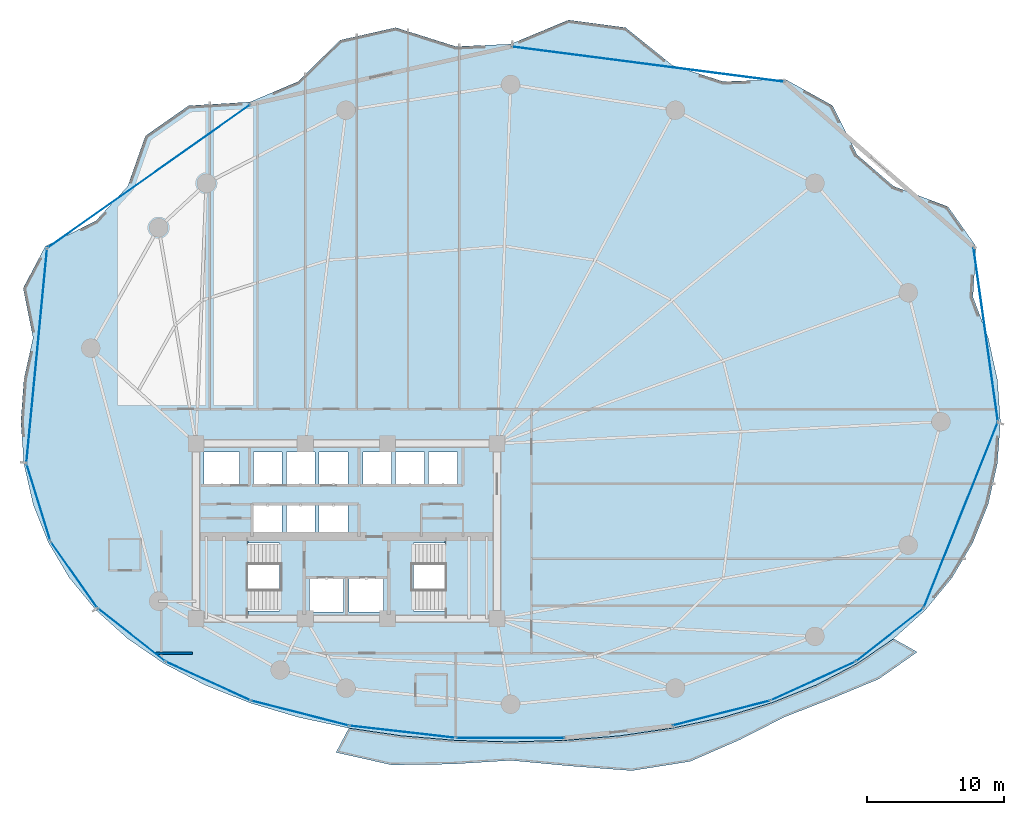
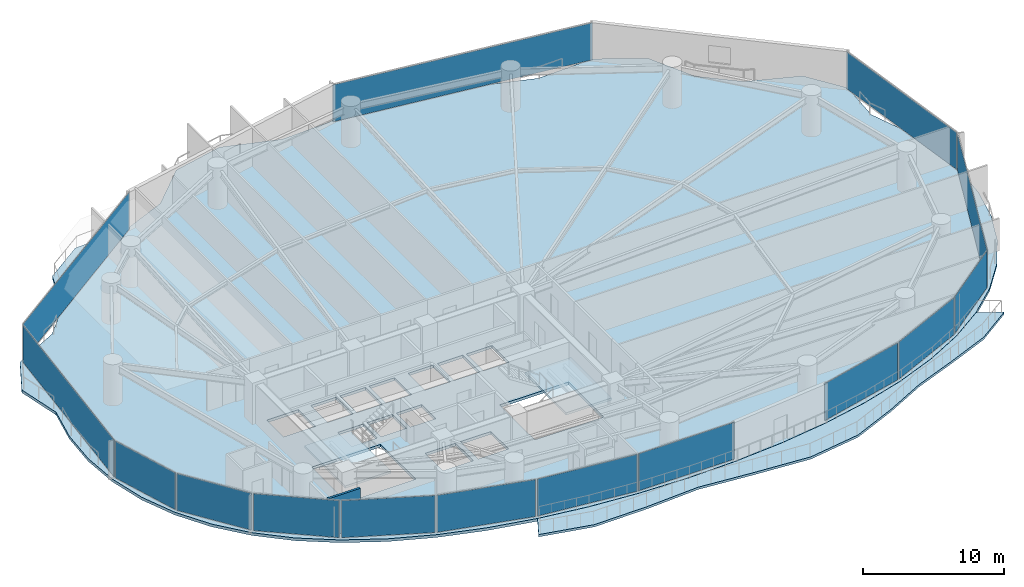
# One storey, part 24 of 31: 15 plates, 4 slabs, 1 wall, 17 elements without a shape of their own.
"""IFC4 building model written with IfcOpenShell, lengths in metres."""

from ifc_helpers import new_model, si_unit, direction, frame, frame_2d, origin, origin_2d, place, context, subcontext, project, spatial, polyline, rectangle, outline, extrude, material, layer, layer_set, type_object, element, aggregate, save


model = new_model("IFC4")

# Units and contexts
model_context = context("Model", 3, precision=1e-05, world=origin(), true_north=direction((0.0, 1.0)))
body_context = subcontext(model_context, "Body", "Model", "MODEL_VIEW")
ifc_project = project(units=[si_unit("LENGTHUNIT", "METRE"), si_unit("AREAUNIT", "SQUARE_METRE"), si_unit("VOLUMEUNIT", "CUBIC_METRE"), si_unit("PLANEANGLEUNIT", "RADIAN"), si_unit("MASSUNIT", "GRAM", prefix="KILO")], contexts=[model_context])

# Site, building, storey
site_placement = place(None, origin())
site = spatial("IfcSite", under=ifc_project, at=site_placement, CompositionType="ELEMENT")
building_placement = place(site_placement, origin())
building = spatial("IfcBuilding", under=site, at=building_placement, Name="Kazevale Care Tower and Concert Hall", CompositionType="ELEMENT")
storey_placement = place(building_placement, frame((0.0, 0.0, 63.60009765625)))
storey = spatial("IfcBuildingStorey", under=building, at=storey_placement, Name="L16", CompositionType="ELEMENT", Elevation=63.60009765625)

# Curtain wall, plate
ifc_material_1 = material(Name="Aluminium 6063-T6 and Low-E Glass", Category="aluminium")
ifc_layer_1 = layer(ifc_material_1, 0.179931640625)
ifc_layer_set_1 = layer_set([ifc_layer_1], Name="Aluminium 6063-T6 and Low-E Glass")
curtain_wall_type_1 = type_object("IfcCurtainWallType", Name="Convex Recessed Sunroom Curtain Wall CW-3", PredefinedType="NOTDEFINED", material=ifc_layer_set_1)
curtain_wall_1_placement = place(storey_placement, origin())
curtain_wall_1 = element("IfcCurtainWall", 1, at=curtain_wall_1_placement, inside=storey, type_object=curtain_wall_type_1, Name="cw:L16:f14", PredefinedType="NOTDEFINED")
ifc_material_2 = material(Name="Low-E Laminated Glass", Category="glass")
ifc_layer_2 = layer(ifc_material_2, 0.028076171875)
ifc_layer_set_2 = layer_set([ifc_layer_2], Name="Low-E Laminated Glass")
plate_type_1 = type_object("IfcPlateType", Name="CW-3 Low-E Glazing Panel 28mm", PredefinedType="CURTAIN_PANEL", material=ifc_layer_set_2)
plate_1_placement = place(storey_placement, frame((18.55810546875, 55.93896484375, 0.074951171875), z_axis=(0.0, 0.0, 1.0), x_axis=(0.816794332821, 0.57692895392, 0.0)))
plate_1 = element("IfcPlate", 2, at=plate_1_placement, type_object=plate_type_1, Name="CW-3 panel 1.1", PredefinedType="CURTAIN_PANEL", context=body_context, shape_type="SweptSolid", body=[
    extrude(rectangle(XDim=18.060302734375, YDim=0.028076171875, at=origin_2d()), origin(), (0.0, 0.0, 1.0), 3.2099609375),
])
aggregate(curtain_wall_1, [plate_1])

curtain_wall_2_placement = place(storey_placement, origin())
curtain_wall_2 = element("IfcCurtainWall", 3, at=curtain_wall_2_placement, inside=storey, type_object=curtain_wall_type_1, Name="cw:L16:f16", PredefinedType="NOTDEFINED")
plate_2_placement = place(storey_placement, frame((55.0400390625, 64.130615234375, 0.074951171875), z_axis=(0.0, 0.0, 1.0), x_axis=(0.991763039368, -0.128086196538, 0.0)))
plate_2 = element("IfcPlate", 4, at=plate_2_placement, type_object=plate_type_1, Name="CW-3 panel 1.1", PredefinedType="CURTAIN_PANEL", context=body_context, shape_type="SweptSolid", body=[
    extrude(rectangle(XDim=20.01611328125, YDim=0.028076171875, at=origin_2d()), origin(), (0.0, 0.0, 1.0), 3.2099609375),
])
aggregate(curtain_wall_2, [plate_2])

ifc_layer_3 = layer(ifc_material_1, 0.179931640625)
ifc_layer_set_3 = layer_set([ifc_layer_3], Name="Aluminium 6063-T6 and Low-E Glass")
curtain_wall_type_2 = type_object("IfcCurtainWallType", Name="Waist & Upper Residential Curtain Wall CW-4", PredefinedType="NOTDEFINED", material=ifc_layer_set_3)
curtain_wall_3_placement = place(storey_placement, origin())
curtain_wall_3 = element("IfcCurtainWall", 5, at=curtain_wall_3_placement, inside=storey, type_object=curtain_wall_type_2, Name="cw:L16:f01", PredefinedType="NOTDEFINED")
ifc_layer_4 = layer(ifc_material_2, 0.030029296875)
ifc_layer_set_4 = layer_set([ifc_layer_4], Name="Low-E Laminated Glass")
plate_type_2 = type_object("IfcPlateType", Name="CW-4 Low-E Glazing Panel 30mm", PredefinedType="CURTAIN_PANEL", material=ifc_layer_set_4)
plate_3_placement = place(storey_placement, frame((77.90087890625, 31.181884765625, 0.080078125), z_axis=(0.0, 0.0, 1.0), x_axis=(-0.370427424456, -0.928861412274, 0.0)))
plate_3 = element("IfcPlate", 6, at=plate_3_placement, type_object=plate_type_2, Name="CW-4 panel 1.1", PredefinedType="CURTAIN_PANEL", context=body_context, shape_type="SweptSolid", body=[
    extrude(rectangle(XDim=14.520263671875, YDim=0.030029296875, at=origin_2d()), origin(), (0.0, 0.0, 1.0), 3.199951171875),
])
aggregate(curtain_wall_3, [plate_3])

curtain_wall_4_placement = place(storey_placement, origin())
curtain_wall_4 = element("IfcCurtainWall", 7, at=curtain_wall_4_placement, inside=storey, type_object=curtain_wall_type_2, Name="cw:L16:f11", PredefinedType="NOTDEFINED")
plate_4_placement = place(storey_placement, frame((13.094482421875, 26.81103515625, 0.080078125), z_axis=(0.0, 0.0, 1.0), x_axis=(-0.575836813322, 0.817564654583, 0.0)))
plate_4 = element("IfcPlate", 8, at=plate_4_placement, type_object=plate_type_2, Name="CW-4 panel 1.1", PredefinedType="CURTAIN_PANEL", context=body_context, shape_type="SweptSolid", body=[
    extrude(rectangle(XDim=5.826171875, YDim=0.030029296875, at=origin_2d()), origin(), (0.0, 0.0, 1.0), 3.199951171875),
])
aggregate(curtain_wall_4, [plate_4])

curtain_wall_5_placement = place(storey_placement, origin())
curtain_wall_5 = element("IfcCurtainWall", 9, at=curtain_wall_5_placement, inside=storey, type_object=curtain_wall_type_2, Name="cw:L16:f12", PredefinedType="NOTDEFINED")
plate_5_placement = place(storey_placement, frame((10.487548828125, 32.10791015625, 0.080078125), z_axis=(0.0, 0.0, 1.0), x_axis=(-0.296098771112, 0.955157326175, 0.0)))
plate_5 = element("IfcPlate", 10, at=plate_5_placement, type_object=plate_type_2, Name="CW-4 panel 1.1", PredefinedType="CURTAIN_PANEL", context=body_context, shape_type="SweptSolid", body=[
    extrude(rectangle(XDim=5.8076171875, YDim=0.030029296875, at=origin_2d()), origin(), (0.0, 0.0, 1.0), 3.199951171875),
])
aggregate(curtain_wall_5, [plate_5])

curtain_wall_6_placement = place(storey_placement, origin())
curtain_wall_6 = element("IfcCurtainWall", 11, at=curtain_wall_6_placement, inside=storey, type_object=curtain_wall_type_2, Name="cw:L16:f13", PredefinedType="NOTDEFINED")
plate_6_placement = place(storey_placement, frame((10.362548828125, 42.822021484375, 0.080078125), z_axis=(0.0, 0.0, 1.0), x_axis=(0.096006644923, 0.995380693067, 0.0)))
plate_6 = element("IfcPlate", 12, at=plate_6_placement, type_object=plate_type_2, Name="CW-4 panel 1.1", PredefinedType="CURTAIN_PANEL", context=body_context, shape_type="SweptSolid", body=[
    extrude(rectangle(XDim=15.640869140625, YDim=0.030029296875, at=origin_2d()), origin(), (0.0, 0.0, 1.0), 3.199951171875),
])
aggregate(curtain_wall_6, [plate_6])

curtain_wall_7_placement = place(storey_placement, origin())
curtain_wall_7 = element("IfcCurtainWall", 13, at=curtain_wall_7_placement, inside=storey, type_object=curtain_wall_type_2, Name="cw:L16:f18", PredefinedType="NOTDEFINED")
plate_7_placement = place(storey_placement, frame((79.72412109375, 44.384521484375, 0.080078125), z_axis=(0.0, 0.0, 1.0), x_axis=(0.138977953775, -0.990295475282, 0.0)))
plate_7 = element("IfcPlate", 14, at=plate_7_placement, type_object=plate_type_2, Name="CW-4 panel 1.1", PredefinedType="CURTAIN_PANEL", context=body_context, shape_type="SweptSolid", body=[
    extrude(rectangle(XDim=12.734130859375, YDim=0.030029296875, at=origin_2d()), origin(), (0.0, 0.0, 1.0), 3.199951171875),
])
aggregate(curtain_wall_7, [plate_7])

ifc_layer_5 = layer(ifc_material_1, 0.179931640625)
ifc_layer_set_5 = layer_set([ifc_layer_5], Name="Aluminium 6063-T6 and Low-E Glass")
curtain_wall_type_3 = type_object("IfcCurtainWallType", Name="Sheltered Concave Balcony Curtain Wall CW-5", PredefinedType="NOTDEFINED", material=ifc_layer_set_5)
curtain_wall_8_placement = place(storey_placement, origin())
curtain_wall_8 = element("IfcCurtainWall", 15, at=curtain_wall_8_placement, inside=storey, type_object=curtain_wall_type_3, Name="cw:L16:f02", PredefinedType="NOTDEFINED")
ifc_layer_6 = layer(ifc_material_2, 0.02587890625)
ifc_layer_set_6 = layer_set([ifc_layer_6], Name="Low-E Laminated Glass")
plate_type_3 = type_object("IfcPlateType", Name="CW-5 Low-E Glazing Panel 26mm", PredefinedType="CURTAIN_PANEL", material=ifc_layer_set_6)
plate_8_placement = place(storey_placement, frame((72.701904296875, 22.41552734375, 0.074951171875), z_axis=(0.0, 0.0, 1.0), x_axis=(-0.78632934107, -0.617807548814, 0.0)))
plate_8 = element("IfcPlate", 16, at=plate_8_placement, type_object=plate_type_3, Name="CW-5 panel 1.1", PredefinedType="CURTAIN_PANEL", context=body_context, shape_type="SweptSolid", body=[
    extrude(rectangle(XDim=6.15771484375, YDim=0.02587890625, at=origin_2d()), origin(), (0.0, 0.0, 1.0), 3.2099609375),
])
aggregate(curtain_wall_8, [plate_8])

curtain_wall_9_placement = place(storey_placement, origin())
curtain_wall_9 = element("IfcCurtainWall", 17, at=curtain_wall_9_placement, inside=storey, type_object=curtain_wall_type_3, Name="cw:L16:f03", PredefinedType="NOTDEFINED")
plate_9_placement = place(storey_placement, frame((67.10498046875, 19.04248046875, 0.074951171875), z_axis=(0.0, 0.0, 1.0), x_axis=(-0.909520179795, -0.415659767773, 0.0)))
plate_9 = element("IfcPlate", 18, at=plate_9_placement, type_object=plate_type_3, Name="CW-5 panel 1.1", PredefinedType="CURTAIN_PANEL", context=body_context, shape_type="SweptSolid", body=[
    extrude(rectangle(XDim=6.7041015625, YDim=0.02587890625, at=origin_2d()), origin(), (0.0, 0.0, 1.0), 3.2099609375),
])
aggregate(curtain_wall_9, [plate_9])

curtain_wall_10_placement = place(storey_placement, origin())
curtain_wall_10 = element("IfcCurtainWall", 19, at=curtain_wall_10_placement, inside=storey, type_object=curtain_wall_type_3, Name="cw:L16:f04", PredefinedType="NOTDEFINED")
plate_10_placement = place(storey_placement, frame((60.389892578125, 16.699951171875, 0.074951171875), z_axis=(0.0, 0.0, 1.0), x_axis=(-0.968958899798, -0.247221864936, 0.0)))
plate_10 = element("IfcPlate", 20, at=plate_10_placement, type_object=plate_type_3, Name="CW-5 panel 1.1", PredefinedType="CURTAIN_PANEL", context=body_context, shape_type="SweptSolid", body=[
    extrude(rectangle(XDim=7.276611328125, YDim=0.02587890625, at=origin_2d()), origin(), (0.0, 0.0, 1.0), 3.2099609375),
])
aggregate(curtain_wall_10, [plate_10])

curtain_wall_11_placement = place(storey_placement, origin())
curtain_wall_11 = element("IfcCurtainWall", 21, at=curtain_wall_11_placement, inside=storey, type_object=curtain_wall_type_3, Name="cw:L16:f06", PredefinedType="NOTDEFINED")
plate_11_placement = place(storey_placement, frame((45.0, 14.889892578125, 0.074951171875), z_axis=(0.0, 0.0, 1.0), x_axis=(-1.0, 0.0, 0.0)))
plate_11 = element("IfcPlate", 22, at=plate_11_placement, type_object=plate_type_3, Name="CW-5 panel 1.1", PredefinedType="CURTAIN_PANEL", context=body_context, shape_type="SweptSolid", body=[
    extrude(rectangle(XDim=7.845947265625, YDim=0.02587890625, at=origin_2d()), origin(), (0.0, 0.0, 1.0), 3.2099609375),
])
aggregate(curtain_wall_11, [plate_11])

curtain_wall_12_placement = place(storey_placement, origin())
curtain_wall_12 = element("IfcCurtainWall", 23, at=curtain_wall_12_placement, inside=storey, type_object=curtain_wall_type_3, Name="cw:L16:f07", PredefinedType="NOTDEFINED")
plate_12_placement = place(storey_placement, frame((37.10498046875, 15.3359375, 0.074951171875), z_axis=(0.0, 0.0, 1.0), x_axis=(-0.993514581883, 0.113704773808, 0.0)))
plate_12 = element("IfcPlate", 24, at=plate_12_placement, type_object=plate_type_3, Name="CW-5 panel 1.1", PredefinedType="CURTAIN_PANEL", context=body_context, shape_type="SweptSolid", body=[
    extrude(rectangle(XDim=7.69482421875, YDim=0.02587890625, at=origin_2d()), origin(), (0.0, 0.0, 1.0), 3.2099609375),
])
aggregate(curtain_wall_12, [plate_12])

curtain_wall_13_placement = place(storey_placement, origin())
curtain_wall_13 = element("IfcCurtainWall", 25, at=curtain_wall_13_placement, inside=storey, type_object=curtain_wall_type_3, Name="cw:L16:f08", PredefinedType="NOTDEFINED")
plate_13_placement = place(storey_placement, frame((29.610107421875, 16.699951171875, 0.074951171875), z_axis=(0.0, 0.0, 1.0), x_axis=(-0.968958899798, 0.247221864936, 0.0)))
plate_13 = element("IfcPlate", 26, at=plate_13_placement, type_object=plate_type_3, Name="CW-5 panel 1.1", PredefinedType="CURTAIN_PANEL", context=body_context, shape_type="SweptSolid", body=[
    extrude(rectangle(XDim=7.276611328125, YDim=0.02587890625, at=origin_2d()), origin(), (0.0, 0.0, 1.0), 3.2099609375),
])
aggregate(curtain_wall_13, [plate_13])

curtain_wall_14_placement = place(storey_placement, origin())
curtain_wall_14 = element("IfcCurtainWall", 27, at=curtain_wall_14_placement, inside=storey, type_object=curtain_wall_type_3, Name="cw:L16:f09", PredefinedType="NOTDEFINED")
plate_14_placement = place(storey_placement, frame((22.89501953125, 19.04248046875, 0.074951171875), z_axis=(0.0, 0.0, 1.0), x_axis=(-0.909520179795, 0.415659767773, 0.0)))
plate_14 = element("IfcPlate", 28, at=plate_14_placement, type_object=plate_type_3, Name="CW-5 panel 1.1", PredefinedType="CURTAIN_PANEL", context=body_context, shape_type="SweptSolid", body=[
    extrude(rectangle(XDim=6.7041015625, YDim=0.02587890625, at=origin_2d()), origin(), (0.0, 0.0, 1.0), 3.2099609375),
])
aggregate(curtain_wall_14, [plate_14])

curtain_wall_15_placement = place(storey_placement, origin())
curtain_wall_15 = element("IfcCurtainWall", 29, at=curtain_wall_15_placement, inside=storey, type_object=curtain_wall_type_3, Name="cw:L16:f10", PredefinedType="NOTDEFINED")
plate_15_placement = place(storey_placement, frame((17.298095703125, 22.41552734375, 0.074951171875), z_axis=(0.0, 0.0, 1.0), x_axis=(-0.78632934107, 0.617807548814, 0.0)))
plate_15 = element("IfcPlate", 30, at=plate_15_placement, type_object=plate_type_3, Name="CW-5 panel 1.1", PredefinedType="CURTAIN_PANEL", context=body_context, shape_type="SweptSolid", body=[
    extrude(rectangle(XDim=6.15771484375, YDim=0.02587890625, at=origin_2d()), origin(), (0.0, 0.0, 1.0), 3.2099609375),
])
aggregate(curtain_wall_15, [plate_15])

# Slab
ifc_material_3 = material(Name="Concrete C40", Category="concrete")
ifc_layer_7 = layer(ifc_material_3, 0.199951171875)
ifc_layer_set_7 = layer_set([ifc_layer_7], Name="Concrete C40")
slab_type_1 = type_object("IfcSlabType", Name="Sinusoidal Concave Balcony Slab 200", PredefinedType="USERDEFINED", material=ifc_layer_set_7)
slab_1_placement = place(storey_placement, frame((0.0, 0.0, -0.2001953125)))
element("IfcSlab", 31, at=slab_1_placement, inside=storey, type_object=slab_type_1, Name="slab:L16:bal", ObjectType="BALCONY", PredefinedType="USERDEFINED", context=body_context, shape_type="SweptSolid", body=[
    extrude(outline(polyline([(74.71484375, 21.166015625), (71.909423828125, 19.197509765625), (68.461181640625, 17.7646484375), (65.004150390625, 16.41455078125), (61.725830078125, 14.74462890625), (58.10986328125, 13.169921875), (53.849609375, 12.497802734375), (49.330322265625, 12.839599609375), (45.0, 13.246337890625), (40.693115234375, 12.9755859375), (36.295654296875, 12.91650390625), (32.23828125, 13.8291015625), (33.173583984375, 15.6005859375), (33.175048828125, 15.600341796875), (37.033203125, 15.038818359375), (40.991455078125, 14.705322265625), (45.0, 14.594970703125), (49.008544921875, 14.705322265625), (52.966796875, 15.038818359375), (56.824951171875, 15.600341796875), (60.5341796875, 16.3984375), (64.04833984375, 17.443115234375), (67.322998046875, 18.743408203125), (70.31689453125, 20.3076171875), (72.99267578125, 22.139404296875), (72.994140625, 22.140625), (74.71484375, 21.166015625)])), origin(), (0.0, 0.0, 1.0), 0.2001953125),
])

# Stair, slab
stair_type = type_object("IfcStairType", Name="Exit Stair Assembly ST1-Z1", PredefinedType="HALF_TURN_STAIR", material=ifc_material_3)
stair_1_placement = place(storey_placement, origin())
stair_1 = element("IfcStair", 32, at=stair_1_placement, inside=storey, type_object=stair_type, Name="stair:L16:ST1", PredefinedType="HALF_TURN_STAIR")
ifc_layer_8 = layer(ifc_material_3, 0.199951171875)
ifc_layer_set_8 = layer_set([ifc_layer_8], Name="Concrete C40")
slab_type_2 = type_object("IfcSlabType", Name="Stair Half-Landing Slab ST1-Z1", PredefinedType="LANDING", material=ifc_layer_set_8)
slab_2_placement = place(storey_placement, frame((0.0, 0.0, 1.599853515625)))
slab_2 = element("IfcSlab", 33, at=slab_2_placement, type_object=slab_type_2, Name="ST1-Z1 landing 1", PredefinedType="LANDING", context=body_context, shape_type="SweptSolid", body=[
    extrude(outline(polyline([(22.050048828125, 23.699951171875), (25.81005859375, 23.699951171875), (25.81005859375, 29.5), (22.050048828125, 29.5), (22.050048828125, 23.699951171875)])), origin(), (0.0, 0.0, 1.0), 0.199951171875),
])
aggregate(stair_1, [slab_2])

stair_2_placement = place(storey_placement, origin())
stair_2 = element("IfcStair", 34, at=stair_2_placement, inside=storey, type_object=stair_type, Name="stair:L16:ST2", PredefinedType="HALF_TURN_STAIR")
slab_3_placement = place(storey_placement, frame((0.0, 0.0, 1.599853515625)))
slab_3 = element("IfcSlab", 35, at=slab_3_placement, type_object=slab_type_2, Name="ST1-Z1 landing 1", PredefinedType="LANDING", context=body_context, shape_type="SweptSolid", body=[
    extrude(outline(polyline([(40.18994140625, 23.699951171875), (43.949951171875, 23.699951171875), (43.949951171875, 29.5), (40.18994140625, 29.5), (40.18994140625, 23.699951171875)])), origin(), (0.0, 0.0, 1.0), 0.199951171875),
])
aggregate(stair_2, [slab_3])

# Slab
ifc_layer_9 = layer(ifc_material_3, 0.239990234375)
ifc_layer_set_9 = layer_set([ifc_layer_9], Name="Concrete C40")
slab_type_3 = type_object("IfcSlabType", Name="Tower Typical Floor Slab 240", PredefinedType="FLOOR", material=ifc_layer_set_9)
slab_4_placement = place(storey_placement, frame((0.0, 0.0, -0.239990234375)))
element("IfcSlab", 36, at=slab_4_placement, inside=storey, type_object=slab_type_3, Name="slab:L16:tw:1", PredefinedType="FLOOR", context=body_context, shape_type="SweptSolid", body=[
    extrude(outline(polyline([(80.800048828125, 38.0), (80.574951171875, 41.090087890625), (79.90234375, 44.1416015625), (78.791015625, 47.11572265625), (79.01171875, 50.8212890625), (76.9638671875, 53.721435546875), (72.989501953125, 55.208251953125), (70.314453125, 57.51611328125), (68.53662109375, 61.10302734375), (65.084228515625, 63.020751953125), (60.532958984375, 62.86669921875), (56.823974609375, 64.05126953125), (53.400146484375, 66.80908203125), (49.226806640625, 67.3642578125), (45.0, 65.60009765625), (40.99169921875, 65.426513671875), (36.599853515625, 66.80908203125), (32.531982421875, 65.891845703125), (29.467041015625, 62.86669921875), (25.953369140625, 61.36962890625), (21.46337890625, 61.10302734375), (18.306640625, 58.89501953125), (17.010498046875, 55.208251953125), (14.687255859375, 52.68408203125), (10.98828125, 50.8212890625), (9.368408203125, 47.759765625), (10.09765625, 44.1416015625), (9.425048828125, 41.090087890625), (9.199951171875, 38.0), (9.425048828125, 34.931640625), (10.09765625, 31.972412109375), (11.208984375, 29.178466796875), (12.745361328125, 26.591064453125), (14.687255859375, 24.239501953125), (17.010498046875, 22.143310546875), (19.685546875, 20.31201171875), (22.67919921875, 18.748046875), (25.953369140625, 17.44775390625), (29.467041015625, 16.4033203125), (33.176025390625, 15.605224609375), (37.03369140625, 15.043701171875), (40.99169921875, 14.71044921875), (45.0, 14.60009765625), (49.00830078125, 14.71044921875), (52.96630859375, 15.043701171875), (56.823974609375, 15.605224609375), (60.532958984375, 16.4033203125), (64.046630859375, 17.44775390625), (67.32080078125, 18.748046875), (70.314453125, 20.31201171875), (72.989501953125, 22.143310546875), (75.312744140625, 24.239501953125), (77.254638671875, 26.591064453125), (78.791015625, 29.178466796875), (79.90234375, 31.972412109375), (80.574951171875, 34.931640625), (80.800048828125, 38.0)]), holes=[polyline([(22.449951171875, 24.14990234375), (28.110107421875, 24.14990234375), (28.110107421875, 29.14990234375), (22.449951171875, 29.14990234375), (22.449951171875, 24.14990234375)]), polyline([(37.889892578125, 24.14990234375), (43.550048828125, 24.14990234375), (43.550048828125, 29.14990234375), (37.889892578125, 29.14990234375), (37.889892578125, 24.14990234375)]), polyline([(30.300048828125, 24.10009765625), (32.800048828125, 24.10009765625), (32.800048828125, 26.60009765625), (30.300048828125, 26.60009765625), (30.300048828125, 24.10009765625)]), polyline([(33.199951171875, 24.10009765625), (35.699951171875, 24.10009765625), (35.699951171875, 26.60009765625), (33.199951171875, 26.60009765625), (33.199951171875, 24.10009765625)]), polyline([(22.60009765625, 33.39990234375), (25.199951171875, 33.39990234375), (25.199951171875, 35.800048828125), (22.60009765625, 35.800048828125), (22.60009765625, 33.39990234375)]), polyline([(26.199951171875, 33.39990234375), (28.300048828125, 33.39990234375), (28.300048828125, 35.800048828125), (26.199951171875, 35.800048828125), (26.199951171875, 33.39990234375)]), polyline([(28.60009765625, 33.39990234375), (30.699951171875, 33.39990234375), (30.699951171875, 35.800048828125), (28.60009765625, 35.800048828125), (28.60009765625, 33.39990234375)]), polyline([(31.0, 33.39990234375), (33.10009765625, 33.39990234375), (33.10009765625, 35.800048828125), (31.0, 35.800048828125), (31.0, 33.39990234375)]), polyline([(34.199951171875, 33.39990234375), (36.300048828125, 33.39990234375), (36.300048828125, 35.800048828125), (34.199951171875, 35.800048828125), (34.199951171875, 33.39990234375)]), polyline([(36.60009765625, 33.39990234375), (38.699951171875, 33.39990234375), (38.699951171875, 35.800048828125), (36.60009765625, 35.800048828125), (36.60009765625, 33.39990234375)]), polyline([(39.0, 33.39990234375), (41.10009765625, 33.39990234375), (41.10009765625, 35.800048828125), (39.0, 35.800048828125), (39.0, 33.39990234375)]), polyline([(26.199951171875, 29.949951171875), (28.300048828125, 29.949951171875), (28.300048828125, 31.949951171875), (26.199951171875, 31.949951171875), (26.199951171875, 29.949951171875)]), polyline([(28.60009765625, 29.949951171875), (30.699951171875, 29.949951171875), (30.699951171875, 31.949951171875), (28.60009765625, 31.949951171875), (28.60009765625, 29.949951171875)]), polyline([(31.0, 29.949951171875), (33.10009765625, 29.949951171875), (33.10009765625, 31.949951171875), (31.0, 31.949951171875), (31.0, 29.949951171875)])]), origin(), (0.0, 0.0, 1.0), 0.239990234375),
])

# Wall
ifc_material_4 = material(Name="Concrete C40 and Acoustic Gypsum", Category="concrete")
ifc_layer_10 = layer(ifc_material_4, 0.179931640625)
ifc_layer_set_10 = layer_set([ifc_layer_10], Name="Concrete C40 and Acoustic Gypsum")
wall_type = type_object("IfcWallType", Name="Fire-Rated Corridor & Party Wall 180", PredefinedType="PARTITIONING", material=ifc_layer_set_10)
wall_placement = place(storey_placement, frame((21.739990234375, 21.074951171875, 0.0), z_axis=(0.0, 0.0, 1.0), x_axis=(-1.0, 0.0, 0.0)))
element("IfcWall", 37, at=wall_placement, inside=storey, type_object=wall_type, Name="wall:L16:auto_015", PredefinedType="PARTITIONING", context=body_context, shape_type="SweptSolid", body=[
    extrude(rectangle(XDim=2.64501953125, YDim=0.179931640625, at=frame_2d((1.322509765625, 0.0))), origin(), (0.0, 0.0, 1.0), 3.35986328125),
])

save(model, "model.ifc")
